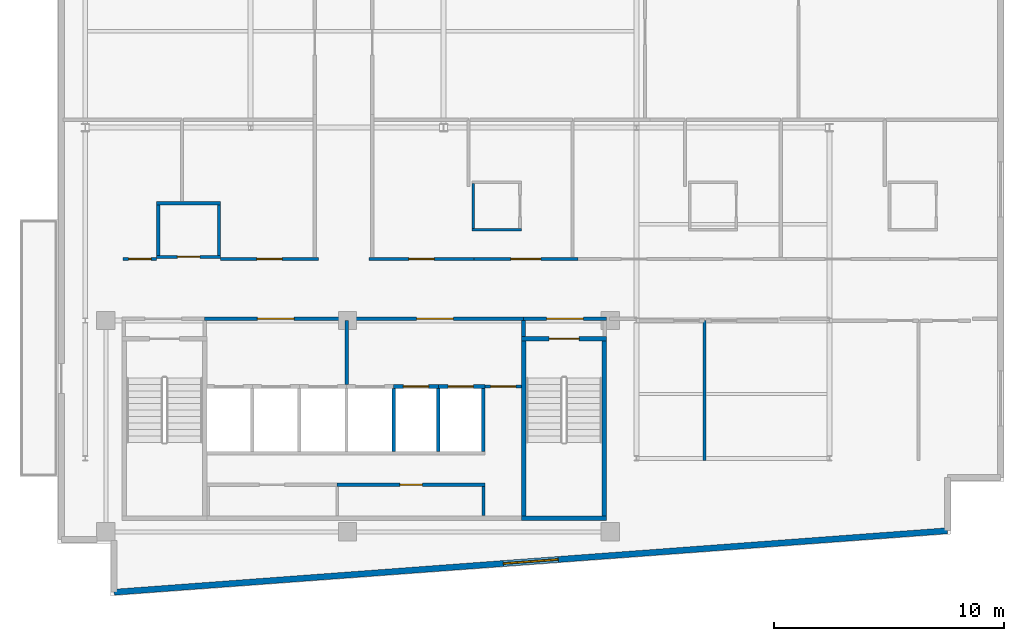
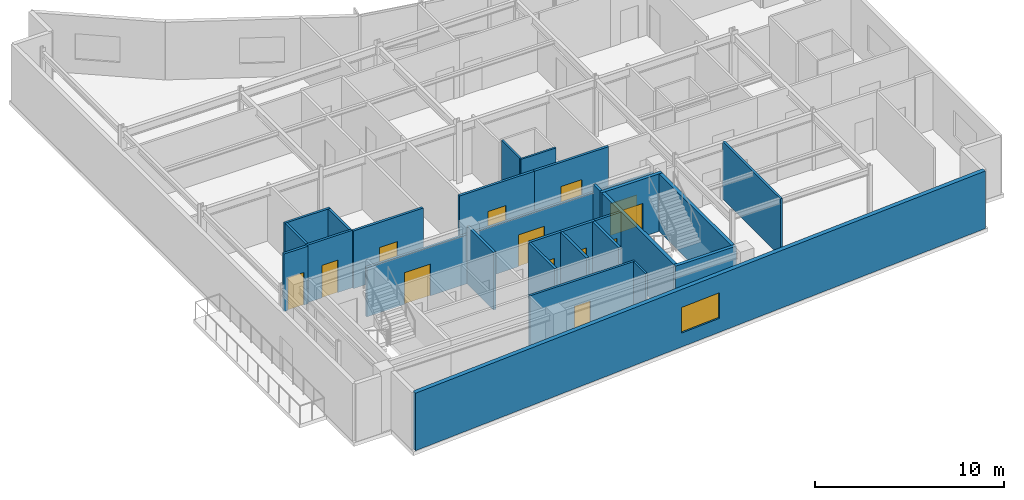
# One storey, part 10 of 16: 29 walls, 13 doors, 1 window, 14 openings.
"""IFC4 building model written with IfcOpenShell, lengths in metres."""

from ifc_helpers import new_model, si_unit, direction, frame, frame_2d, origin, place, context, subcontext, project, spatial, rectangle, extrude, material, layer, layer_set, type_object, element, fill, save


model = new_model("IFC4")

# Units and contexts
model_context = context("Model", 3, precision=1e-05, world=origin(), true_north=direction((0.0, 1.0)))
body_context = subcontext(model_context, "Body", "Model", "MODEL_VIEW")
ifc_project = project(units=[si_unit("LENGTHUNIT", "METRE"), si_unit("AREAUNIT", "SQUARE_METRE"), si_unit("VOLUMEUNIT", "CUBIC_METRE"), si_unit("PLANEANGLEUNIT", "RADIAN"), si_unit("MASSUNIT", "GRAM", prefix="KILO")], contexts=[model_context])

# Site, building, storey
site_placement = place(None, origin())
site = spatial("IfcSite", under=ifc_project, at=site_placement, CompositionType="ELEMENT")
building_placement = place(site_placement, origin())
building = spatial("IfcBuilding", under=site, at=building_placement, Name="Varnakote Quay Hospital", CompositionType="ELEMENT")
storey_placement = place(building_placement, frame((0.0, 0.0, 280.25)))
storey = spatial("IfcBuildingStorey", under=building, at=storey_placement, Name="L69", CompositionType="ELEMENT", Elevation=280.25)

# Wall, opening, door
ifc_material_1 = material(Name="Fire-rated acoustic gypsum stud wall", Category="gypsum")
ifc_layer_1 = layer(ifc_material_1, 0.159912109375)
ifc_layer_set_1 = layer_set([ifc_layer_1], Name="Fire-rated acoustic gypsum stud wall")
wall_type_1 = type_object("IfcWallType", Name="WL-COMP-160", PredefinedType="PARTITIONING", material=ifc_layer_set_1)
wall_1_placement = place(storey_placement, frame((6.39990234375, 12.080078125, 0.0), z_axis=(0.0, 0.0, 1.0), x_axis=(1.0, 0.0, 0.0)))
wall_1 = element("IfcWall", 1, at=wall_1_placement, inside=storey, type_object=wall_type_1, Name="L69 Firefighting Lift Lobby Compartment Wall", PredefinedType="PARTITIONING", context=body_context, shape_type="SweptSolid", body=[
    extrude(rectangle(XDim=6.18017578125, YDim=0.159912109375, at=frame_2d((3.090087890625, 0.0))), origin(), (0.0, 0.0, 1.0), 3.156982421875),
])
opening_1_placement = place(wall_1_placement, frame((2.2900390625, 0.0, 0.0)))
opening_1 = element("IfcOpeningElement", 2, at=opening_1_placement, cuts=wall_1, Name="Opening D-FFL-L69", PredefinedType="OPENING", context=body_context, shape_type="SweptSolid", body=[
    extrude(rectangle(XDim=1.60009765625, YDim=2.050048828125, at=frame_2d((0.800048828125, 1.02490234375))), frame((0.0, 0.08984375, 0.0), z_axis=(0.0, -1.0, 0.0), x_axis=(1.0, 0.0, 0.0)), (0.0, 0.0, 1.0), 0.179931640625),
])
ifc_material_2 = material(Name="Fire-rated double smoke lobby door")
door_type_1 = type_object("IfcDoorType", Name="DR-LOBBY-FD60S-1600x2150", OperationType="NOTDEFINED", PredefinedType="DOOR", material=ifc_material_2)
door_1_placement = place(opening_1_placement, origin())
door_1 = element("IfcDoor", 3, at=door_1_placement, inside=storey, type_object=door_type_1, Name="L69 Firefighting Smoke Vestibule Door", OperationType="DOUBLE_DOOR_SINGLE_SWING", OverallHeight=2.050048828125, OverallWidth=1.60009765625, PredefinedType="DOOR", context=body_context, shape_type="SweptSolid", body=[
    extrude(rectangle(XDim=1.60009765625, YDim=2.050048828125, at=frame_2d((0.800048828125, 1.02490234375))), frame((0.0, 0.02490234375, 0.0), z_axis=(0.0, -1.0, 0.0), x_axis=(1.0, 0.0, 0.0)), (0.0, 0.0, 1.0), 0.050048828125),
])
fill(opening_1, door_1)

# Wall
wall_2_placement = place(storey_placement, frame((12.580078125, 9.2099609375, 0.0), z_axis=(0.0, 0.0, 1.0), x_axis=(0.0, 1.0, 0.0)))
element("IfcWall", 4, at=wall_2_placement, inside=storey, type_object=wall_type_1, Name="L69 Firefighting to Service Lobby Wall", PredefinedType="PARTITIONING", context=body_context, shape_type="SweptSolid", body=[
    extrude(rectangle(XDim=2.7900390625, YDim=0.159912109375, at=frame_2d((1.39501953125, 0.0))), origin(), (0.0, 0.0, 1.0), 3.7099609375),
])

# Wall, opening, door
wall_3_placement = place(storey_placement, frame((12.580078125, 12.080078125, 0.0), z_axis=(0.0, 0.0, 1.0), x_axis=(1.0, 0.0, 0.0)))
wall_3 = element("IfcWall", 5, at=wall_3_placement, inside=storey, type_object=wall_type_1, Name="L69 Clinical Bed Lift Lobby Wall", PredefinedType="PARTITIONING", context=body_context, shape_type="SweptSolid", body=[
    extrude(rectangle(XDim=7.699951171875, YDim=0.159912109375, at=frame_2d((3.85009765625, 0.0))), origin(), (0.0, 0.0, 1.0), 3.156982421875),
])
opening_2_placement = place(wall_3_placement, frame((3.050048828125, 0.0, 0.0)))
opening_2 = element("IfcOpeningElement", 6, at=opening_2_placement, cuts=wall_3, Name="Opening D-SVL-L69", PredefinedType="OPENING", context=body_context, shape_type="SweptSolid", body=[
    extrude(rectangle(XDim=1.60009765625, YDim=2.050048828125, at=frame_2d((0.800048828125, 1.02490234375))), frame((0.0, 0.08984375, 0.0), z_axis=(0.0, -1.0, 0.0), x_axis=(1.0, 0.0, 0.0)), (0.0, 0.0, 1.0), 0.179931640625),
])
door_2_placement = place(opening_2_placement, origin())
door_2 = element("IfcDoor", 7, at=door_2_placement, inside=storey, type_object=door_type_1, Name="L69 Clinical Core Smoke Vestibule Door", OperationType="DOUBLE_DOOR_SINGLE_SWING", OverallHeight=2.050048828125, OverallWidth=1.60009765625, PredefinedType="DOOR", context=body_context, shape_type="SweptSolid", body=[
    extrude(rectangle(XDim=1.60009765625, YDim=2.050048828125, at=frame_2d((0.800048828125, 1.02490234375))), frame((0.0, 0.02490234375, 0.0), z_axis=(0.0, -1.0, 0.0), x_axis=(1.0, 0.0, 0.0)), (0.0, 0.0, 1.0), 0.050048828125),
])
fill(opening_2, door_2)

# Wall
wall_4_placement = place(storey_placement, frame((20.280029296875, 11.300048828125, 0.0), z_axis=(0.0, 0.0, 1.0), x_axis=(0.0, 1.0, 0.0)))
element("IfcWall", 8, at=wall_4_placement, inside=storey, type_object=wall_type_1, Name="L69 East Stair Vestibule Divider Wall", PredefinedType="PARTITIONING", context=body_context, shape_type="SweptSolid", body=[
    extrude(rectangle(XDim=0.699951171875, YDim=0.159912109375, at=frame_2d((0.35009765625, 0.0))), origin(), (0.0, 0.0, 1.0), 3.7099609375),
])

# Wall, opening, door
wall_5_placement = place(storey_placement, frame((20.280029296875, 12.080078125, 0.0), z_axis=(0.0, 0.0, 1.0), x_axis=(1.0, 0.0, 0.0)))
wall_5 = element("IfcWall", 9, at=wall_5_placement, inside=storey, type_object=wall_type_1, Name="L69 East Stair Vestibule Smoke Wall", PredefinedType="PARTITIONING", context=body_context, shape_type="SweptSolid", body=[
    extrude(rectangle(XDim=3.619873046875, YDim=0.159912109375, at=frame_2d((1.81005859375, 0.0))), origin(), (0.0, 0.0, 1.0), 3.156982421875),
])
opening_3_placement = place(wall_5_placement, frame((1.010009765625, 0.0, 0.0)))
opening_3 = element("IfcOpeningElement", 10, at=opening_3_placement, cuts=wall_5, Name="Opening D-ST2L-L69", PredefinedType="OPENING", context=body_context, shape_type="SweptSolid", body=[
    extrude(rectangle(XDim=1.60009765625, YDim=2.050048828125, at=frame_2d((0.800048828125, 1.02490234375))), frame((0.0, 0.08984375, 0.0), z_axis=(0.0, -1.0, 0.0), x_axis=(1.0, 0.0, 0.0)), (0.0, 0.0, 1.0), 0.179931640625),
])
door_3_placement = place(opening_3_placement, origin())
door_3 = element("IfcDoor", 11, at=door_3_placement, inside=storey, type_object=door_type_1, Name="L69 East Stair Vestibule Smoke Door", OperationType="DOUBLE_DOOR_SINGLE_SWING", OverallHeight=2.050048828125, OverallWidth=1.60009765625, PredefinedType="DOOR", context=body_context, shape_type="SweptSolid", body=[
    extrude(rectangle(XDim=1.60009765625, YDim=2.050048828125, at=frame_2d((0.800048828125, 1.02490234375))), frame((0.0, 0.02490234375, 0.0), z_axis=(0.0, -1.0, 0.0), x_axis=(1.0, 0.0, 0.0)), (0.0, 0.0, 1.0), 0.050048828125),
])
fill(opening_3, door_3)

# Walls
ifc_material_3 = material(Name="Moisture-resistant bathroom partition", Category="gypsum")
ifc_layer_2 = layer(ifc_material_3, 0.114990234375)
ifc_layer_set_2 = layer_set([ifc_layer_2], Name="Moisture-resistant bathroom partition")
wall_type_2 = type_object("IfcWallType", Name="WL-ENS-115", PredefinedType="PARTITIONING", material=ifc_layer_set_2)
wall_6_placement = place(storey_placement, frame((18.034912109375, 15.952392578125, 0.0), z_axis=(0.0, 0.0, 1.0), x_axis=(1.0, 0.0, 0.0)))
element("IfcWall", 12, at=wall_6_placement, inside=storey, type_object=wall_type_2, Name="L69 Inpatient En-Suite Bathroom 01 S Wall", PredefinedType="PARTITIONING", context=body_context, shape_type="SweptSolid", body=[
    extrude(rectangle(XDim=2.150146484375, YDim=0.114990234375, at=frame_2d((1.0751953125, 0.0))), origin(), (0.0, 0.0, 1.0), 3.7099609375),
])
wall_7_placement = place(storey_placement, frame((18.092529296875, 16.010009765625, 0.0), z_axis=(0.0, 0.0, 1.0), x_axis=(0.0, 1.0, 0.0)))
element("IfcWall", 13, at=wall_7_placement, inside=storey, type_object=wall_type_2, Name="L69 Inpatient En-Suite Bathroom 01 W Wall", PredefinedType="PARTITIONING", context=body_context, shape_type="SweptSolid", body=[
    extrude(rectangle(XDim=1.949951171875, YDim=0.114990234375, at=frame_2d((0.97509765625, 0.0))), origin(), (0.0, 0.0, 1.0), 3.7099609375),
])

# Wall, opening, window
ifc_material_4 = material(Name="Precast concrete N50 (f'c 50 MPa)", Category="concrete")
ifc_layer_3 = layer(ifc_material_4, 0.260009765625)
ifc_layer_set_3 = layer_set([ifc_layer_3], Name="Precast concrete N50 (f'c 50 MPa)")
wall_type_3 = type_object("IfcWallType", Name="WL-EXT-BRICK-260", PredefinedType="STANDARD", material=ifc_layer_set_3)
wall_8_placement = place(storey_placement, frame((2.4599609375, 0.172119140625, 0.0), z_axis=(0.0, 0.0, 1.0), x_axis=(0.997289775118, 0.073573802713, 0.0)))
wall_8 = element("IfcWall", 14, at=wall_8_placement, inside=storey, type_object=wall_type_3, Name="L69 Brick-Faced Precast Exterior Wall", PredefinedType="STANDARD", context=body_context, shape_type="SweptSolid", body=[
    extrude(rectangle(XDim=36.378662109375, YDim=0.260009765625, at=frame_2d((18.189453125, 0.0))), origin(), (0.0, 0.0, 1.0), 3.7099609375),
])
opening_4_placement = place(wall_8_placement, frame((16.9892578125, 0.0, 0.89990234375)))
opening_4 = element("IfcOpeningElement", 15, at=opening_4_placement, cuts=wall_8, Name="Opening WN-0278", PredefinedType="OPENING", context=body_context, shape_type="SweptSolid", body=[
    extrude(rectangle(XDim=2.39990234375, YDim=1.64990234375, at=frame_2d((1.199951171875, 0.824951171875))), frame((0.0, 0.139892578125, 0.0), z_axis=(0.0, -1.0, 0.0), x_axis=(1.0, 0.0, 0.0)), (0.0, 0.0, 1.0), 0.280029296875),
])
ifc_material_5 = material(Name="Double-glazed low-E solar glass", Category="glass")
window_type = type_object("IfcWindowType", Name="WIN-CLIN-2400x1650", PartitioningType="SINGLE_PANEL", PredefinedType="WINDOW", material=ifc_material_5)
window_placement = place(opening_4_placement, origin())
window = element("IfcWindow", 16, at=window_placement, inside=storey, type_object=window_type, Name="L69 Solar-Control Clinical Window", OverallHeight=1.64990234375, OverallWidth=2.39990234375, PartitioningType="SINGLE_PANEL", PredefinedType="WINDOW", context=body_context, shape_type="SweptSolid", body=[
    extrude(rectangle(XDim=2.39990234375, YDim=1.64990234375, at=frame_2d((1.199951171875, 0.824951171875))), frame((0.0, 0.030029296875, 0.0), z_axis=(0.0, -1.0, 0.0), x_axis=(1.0, 0.0, 0.0)), (0.0, 0.0, 1.0), 0.06005859375),
])
fill(opening_4, window)

# Walls
ifc_material_6 = material(Name="Concrete N50 (f'c 50 MPa)", Category="concrete")
ifc_layer_4 = layer(ifc_material_6, 0.14990234375)
ifc_layer_set_4 = layer_set([ifc_layer_4], Name="Concrete N50 (f'c 50 MPa)")
wall_type_4 = type_object("IfcWallType", Name="WL-SHAFT-N50-150", PredefinedType="SHEAR", material=ifc_layer_set_4)
for number, where, z_axis, x_axis, name in (
    (17, (14.625, 6.300048828125, 0.0), (0.0, 0.0, 1.0), (0.0, 1.0, 0.0), "L69 LF-SV2 Hoistway Divider Wall"),
    (18, (16.574951171875, 6.300048828125, 0.0), (0.0, 0.0, 1.0), (0.0, 1.0, 0.0), "L69 LF-PH1 Hoistway Divider Wall"),
):
    element("IfcWall", number, at=place(storey_placement, frame(where, z_axis=z_axis, x_axis=x_axis)), inside=storey, type_object=wall_type_4, Name=name, PredefinedType="SHEAR", context=body_context, shape_type="SweptSolid", body=[
        extrude(rectangle(XDim=2.75, YDim=0.14990234375, at=frame_2d((1.375, 0.0))), origin(), (0.0, 0.0, 1.0), 3.7099609375),
    ])
ifc_material_7 = material(Name="Concrete N50 (f'c 50 MPa)", Category="concrete")
ifc_layer_5 = layer(ifc_material_7, 0.159912109375)
ifc_layer_set_5 = layer_set([ifc_layer_5], Name="Concrete N50 (f'c 50 MPa)")
wall_type_5 = type_object("IfcWallType", Name="WL-SHAFT-N50-160", PredefinedType="SHEAR", material=ifc_layer_set_5)
wall_9_placement = place(storey_placement, frame((18.530029296875, 6.300048828125, 0.0), z_axis=(0.0, 0.0, 1.0), x_axis=(0.0, 1.0, 0.0)))
element("IfcWall", 19, at=wall_9_placement, inside=storey, type_object=wall_type_5, Name="L69 REAR Lift Bank East Shear Wall", PredefinedType="SHEAR", context=body_context, shape_type="SweptSolid", body=[
    extrude(rectangle(XDim=2.75, YDim=0.159912109375, at=frame_2d((1.375, 0.0))), origin(), (0.0, 0.0, 1.0), 3.7099609375),
])

# Wall, opening, door
wall_10_placement = place(storey_placement, frame((14.625, 9.1298828125, 0.0), z_axis=(0.0, 0.0, 1.0), x_axis=(1.0, 0.0, 0.0)))
wall_10 = element("IfcWall", 20, at=wall_10_placement, inside=storey, type_object=wall_type_5, Name="L69 LF-PH1 Hoistway Front Wall", PredefinedType="SHEAR", context=body_context, shape_type="SweptSolid", body=[
    extrude(rectangle(XDim=1.949951171875, YDim=0.159912109375, at=frame_2d((0.97509765625, 0.0))), origin(), (0.0, 0.0, 1.0), 3.7099609375),
])
opening_5_placement = place(wall_10_placement, frame((0.425048828125, 0.0, 0.0)))
opening_5 = element("IfcOpeningElement", 21, at=opening_5_placement, cuts=wall_10, Name="Opening LD-PH1-L69", PredefinedType="OPENING", context=body_context, shape_type="SweptSolid", body=[
    extrude(rectangle(XDim=1.10009765625, YDim=2.14990234375, at=frame_2d((0.550048828125, 1.074951171875))), frame((0.0, 0.08984375, 0.0), z_axis=(0.0, -1.0, 0.0), x_axis=(1.0, 0.0, 0.0)), (0.0, 0.0, 1.0), 0.179931640625),
])
ifc_material_8 = material(Name="Brushed bronze lift landing sliding door")
door_type_2 = type_object("IfcDoorType", Name="DR-LIFT-LD-1100x2150", OperationType="NOTDEFINED", PredefinedType="DOOR", material=ifc_material_8)
door_4_placement = place(opening_5_placement, origin())
door_4 = element("IfcDoor", 22, at=door_4_placement, inside=storey, type_object=door_type_2, Name="L69 LF-PH1 Lift Landing Sliding Door", OperationType="SLIDING_TO_LEFT", OverallHeight=2.14990234375, OverallWidth=1.10009765625, PredefinedType="DOOR", context=body_context, shape_type="SweptSolid", body=[
    extrude(rectangle(XDim=1.10009765625, YDim=2.14990234375, at=frame_2d((0.550048828125, 1.074951171875))), frame((0.0, 0.02490234375, 0.0), z_axis=(0.0, -1.0, 0.0), x_axis=(1.0, 0.0, 0.0)), (0.0, 0.0, 1.0), 0.050048828125),
])
fill(opening_5, door_4)

wall_11_placement = place(storey_placement, frame((16.574951171875, 9.1298828125, 0.0), z_axis=(0.0, 0.0, 1.0), x_axis=(1.0, 0.0, 0.0)))
wall_11 = element("IfcWall", 23, at=wall_11_placement, inside=storey, type_object=wall_type_5, Name="L69 LF-PH2 Hoistway Front Wall", PredefinedType="SHEAR", context=body_context, shape_type="SweptSolid", body=[
    extrude(rectangle(XDim=2.03515625, YDim=0.159912109375, at=frame_2d((1.017578125, 0.0))), origin(), (0.0, 0.0, 1.0), 3.7099609375),
])
opening_6_placement = place(wall_11_placement, frame((0.425048828125, 0.0, 0.0)))
opening_6 = element("IfcOpeningElement", 24, at=opening_6_placement, cuts=wall_11, Name="Opening LD-PH2-L69", PredefinedType="OPENING", context=body_context, shape_type="SweptSolid", body=[
    extrude(rectangle(XDim=1.10009765625, YDim=2.14990234375, at=frame_2d((0.550048828125, 1.074951171875))), frame((0.0, 0.08984375, 0.0), z_axis=(0.0, -1.0, 0.0), x_axis=(1.0, 0.0, 0.0)), (0.0, 0.0, 1.0), 0.179931640625),
])
door_5_placement = place(opening_6_placement, origin())
door_5 = element("IfcDoor", 25, at=door_5_placement, inside=storey, type_object=door_type_2, Name="L69 LF-PH2 Lift Landing Sliding Door", OperationType="SLIDING_TO_LEFT", OverallHeight=2.14990234375, OverallWidth=1.10009765625, PredefinedType="DOOR", context=body_context, shape_type="SweptSolid", body=[
    extrude(rectangle(XDim=1.10009765625, YDim=2.14990234375, at=frame_2d((0.550048828125, 1.074951171875))), frame((0.0, 0.02490234375, 0.0), z_axis=(0.0, -1.0, 0.0), x_axis=(1.0, 0.0, 0.0)), (0.0, 0.0, 1.0), 0.050048828125),
])
fill(opening_6, door_5)

# Walls
ifc_material_9 = material(Name="Concrete N50 (f'c 50 MPa)", Category="concrete")
ifc_layer_6 = layer(ifc_material_9, 0.199951171875)
ifc_layer_set_6 = layer_set([ifc_layer_6], Name="Concrete N50 (f'c 50 MPa)")
wall_type_6 = type_object("IfcWallType", Name="WL-SHAFT-N50-200", PredefinedType="SHEAR", material=ifc_layer_set_6)
wall_12_placement = place(storey_placement, frame((20.199951171875, 3.39990234375, 0.0), z_axis=(0.0, 0.0, 1.0), x_axis=(1.0, 0.0, 0.0)))
element("IfcWall", 26, at=wall_12_placement, inside=storey, type_object=wall_type_6, Name="L69 Stair ST2 South Shaft Wall", PredefinedType="SHEAR", context=body_context, shape_type="SweptSolid", body=[
    extrude(rectangle(XDim=3.699951171875, YDim=0.199951171875, at=frame_2d((1.85009765625, 0.0))), origin(), (0.0, 0.0, 1.0), 3.7099609375),
])
for number, where, z_axis, x_axis, name in (
    (27, (20.300048828125, 3.5, 0.0), (0.0, 0.0, 1.0), (0.0, 1.0, 0.0), "L69 Stair ST2 West Shaft Wall"),
    (28, (23.800048828125, 3.5, 0.0), (0.0, 0.0, 1.0), (0.0, 1.0, 0.0), "L69 Stair ST2 East Shaft Wall"),
):
    element("IfcWall", number, at=place(storey_placement, frame(where, z_axis=z_axis, x_axis=x_axis)), inside=storey, type_object=wall_type_6, Name=name, PredefinedType="SHEAR", context=body_context, shape_type="SweptSolid", body=[
        extrude(rectangle(XDim=7.60009765625, YDim=0.199951171875, at=frame_2d((3.800048828125, 0.0))), origin(), (0.0, 0.0, 1.0), 3.7099609375),
    ])

# Wall, opening, door
wall_13_placement = place(storey_placement, frame((20.199951171875, 11.199951171875, 0.0), z_axis=(0.0, 0.0, 1.0), x_axis=(1.0, 0.0, 0.0)))
wall_13 = element("IfcWall", 29, at=wall_13_placement, inside=storey, type_object=wall_type_6, Name="L69 Stair ST2 Exit Wall", PredefinedType="SHEAR", context=body_context, shape_type="SweptSolid", body=[
    extrude(rectangle(XDim=3.699951171875, YDim=0.199951171875, at=frame_2d((1.85009765625, 0.0))), origin(), (0.0, 0.0, 1.0), 3.7099609375),
])
opening_7_placement = place(wall_13_placement, frame((1.199951171875, 0.0, 0.0)))
opening_7 = element("IfcOpeningElement", 30, at=opening_7_placement, cuts=wall_13, Name="Opening D-ST2-L69", PredefinedType="OPENING", context=body_context, shape_type="SweptSolid", body=[
    extrude(rectangle(XDim=1.300048828125, YDim=2.14990234375, at=frame_2d((0.64990234375, 1.074951171875))), frame((0.0, 0.10986328125, 0.0), z_axis=(0.0, -1.0, 0.0), x_axis=(1.0, 0.0, 0.0)), (0.0, 0.0, 1.0), 0.219970703125),
])
ifc_material_10 = material(Name="Fire-rated ceramic-glazed timber exit door", Category="wood")
door_type_3 = type_object("IfcDoorType", Name="DR-STAIR-FD60S-1300x2150", OperationType="NOTDEFINED", PredefinedType="DOOR", material=ifc_material_10)
door_6_placement = place(opening_7_placement, origin())
door_6 = element("IfcDoor", 31, at=door_6_placement, inside=storey, type_object=door_type_3, Name="L69 Stair ST2 Fire Exit Door", OperationType="SINGLE_SWING_LEFT", OverallHeight=2.14990234375, OverallWidth=1.300048828125, PredefinedType="DOOR", context=body_context, shape_type="SweptSolid", body=[
    extrude(rectangle(XDim=1.300048828125, YDim=2.14990234375, at=frame_2d((0.64990234375, 1.074951171875))), frame((0.0, 0.02490234375, 0.0), z_axis=(0.0, -1.0, 0.0), x_axis=(1.0, 0.0, 0.0)), (0.0, 0.0, 1.0), 0.050048828125),
])
fill(opening_7, door_6)

# Walls
ifc_material_11 = material(Name="Smoke-proof clinical partition", Category="gypsum")
ifc_layer_7 = layer(ifc_material_11, 0.1201171875)
ifc_layer_set_7 = layer_set([ifc_layer_7], Name="Smoke-proof clinical partition")
wall_type_7 = type_object("IfcWallType", Name="WL-SMOKE-120", PredefinedType="PARTITIONING", material=ifc_layer_set_7)
wall_14_placement = place(storey_placement, frame((18.5400390625, 3.52001953125, 0.0), z_axis=(0.0, 0.0, 1.0), x_axis=(0.0, 1.0, 0.0)))
element("IfcWall", 32, at=wall_14_placement, inside=storey, type_object=wall_type_7, Name="L69 Core South Service East Wall", PredefinedType="PARTITIONING", context=body_context, shape_type="SweptSolid", body=[
    extrude(rectangle(XDim=1.260009765625, YDim=0.1201171875, at=frame_2d((0.6298828125, 0.0))), origin(), (0.0, 0.0, 1.0), 3.7099609375),
])
ifc_material_12 = material(Name="Smoke-proof clinical partition", Category="gypsum")
ifc_layer_8 = layer(ifc_material_12, 0.135009765625)
ifc_layer_set_8 = layer_set([ifc_layer_8], Name="Smoke-proof clinical partition")
wall_type_8 = type_object("IfcWallType", Name="WL-SMOKE-135", PredefinedType="PARTITIONING", material=ifc_layer_set_8)
wall_15_placement = place(storey_placement, frame((28.159912109375, 5.89990234375, 0.0), z_axis=(0.0, 0.0, 1.0), x_axis=(0.0, 1.0, 0.0)))
element("IfcWall", 33, at=wall_15_placement, inside=storey, type_object=wall_type_8, Name="L69 Clinical Interior Partition", PredefinedType="PARTITIONING", context=body_context, shape_type="SweptSolid", body=[
    extrude(rectangle(XDim=6.10009765625, YDim=0.135009765625, at=frame_2d((3.050048828125, 0.0))), origin(), (0.0, 0.0, 1.0), 3.7099609375),
])

# Wall, opening, door
ifc_material_13 = material(Name="Fire-rated clinical gypsum partition", Category="gypsum")
ifc_layer_9 = layer(ifc_material_13, 0.139892578125)
ifc_layer_set_9 = layer_set([ifc_layer_9], Name="Fire-rated clinical gypsum partition")
wall_type_9 = type_object("IfcWallType", Name="WL-WARD-140", PredefinedType="PARTITIONING", material=ifc_layer_set_9)
wall_16_placement = place(storey_placement, frame((12.169921875, 4.85009765625, 0.0), z_axis=(0.0, 0.0, 1.0), x_axis=(1.0, 0.0, 0.0)))
wall_16 = element("IfcWall", 34, at=wall_16_placement, inside=storey, type_object=wall_type_9, Name="L69 Core Staff Sanitary WC North Wall", PredefinedType="PARTITIONING", context=body_context, shape_type="SweptSolid", body=[
    extrude(rectangle(XDim=6.43017578125, YDim=0.139892578125, at=frame_2d((3.215087890625, 0.0))), origin(), (0.0, 0.0, 1.0), 3.7099609375),
])
opening_8_placement = place(wall_16_placement, frame((2.72509765625, 0.0, 0.0)))
opening_8 = element("IfcOpeningElement", 35, at=opening_8_placement, cuts=wall_16, Name="Opening D-L69-CR02", PredefinedType="OPENING", context=body_context, shape_type="SweptSolid", body=[
    extrude(rectangle(XDim=0.97998046875, YDim=2.10009765625, at=frame_2d((0.489990234375, 1.050048828125))), frame((0.0, 0.079833984375, 0.0), z_axis=(0.0, -1.0, 0.0), x_axis=(1.0, 0.0, 0.0)), (0.0, 0.0, 1.0), 0.159912109375),
])
ifc_material_14 = material(Name="Accessible sanitary compartment door")
door_type_4 = type_object("IfcDoorType", Name="DR-WC-980x2100", OperationType="NOTDEFINED", PredefinedType="DOOR", material=ifc_material_14)
door_7_placement = place(opening_8_placement, origin())
door_7 = element("IfcDoor", 36, at=door_7_placement, inside=storey, type_object=door_type_4, Name="L69 Core Staff Sanitary WC Door", OperationType="SINGLE_SWING_LEFT", OverallHeight=2.10009765625, OverallWidth=0.97998046875, PredefinedType="DOOR", context=body_context, shape_type="SweptSolid", body=[
    extrude(rectangle(XDim=0.97998046875, YDim=2.10009765625, at=frame_2d((0.489990234375, 1.050048828125))), frame((0.0, 0.02490234375, 0.0), z_axis=(0.0, -1.0, 0.0), x_axis=(1.0, 0.0, 0.0)), (0.0, 0.0, 1.0), 0.050048828125),
])
fill(opening_8, door_7)

wall_17_placement = place(storey_placement, frame((18.610107421875, 9.1298828125, 0.0), z_axis=(0.0, 0.0, 1.0), x_axis=(1.0, 0.0, 0.0)))
wall_17 = element("IfcWall", 37, at=wall_17_placement, inside=storey, type_object=wall_type_9, Name="L69 Core Service Corridor North Door Wall", PredefinedType="PARTITIONING", context=body_context, shape_type="SweptSolid", body=[
    extrude(rectangle(XDim=1.58984375, YDim=0.139892578125, at=frame_2d((0.794921875, 0.0))), origin(), (0.0, 0.0, 1.0), 3.7099609375),
])
opening_9_placement = place(wall_17_placement, frame((0.239990234375, 0.0, 0.0)))
opening_9 = element("IfcOpeningElement", 38, at=opening_9_placement, cuts=wall_17, Name="Opening D-CSRV-L69", PredefinedType="OPENING", context=body_context, shape_type="SweptSolid", body=[
    extrude(rectangle(XDim=1.10009765625, YDim=2.10009765625, at=frame_2d((0.550048828125, 1.050048828125))), frame((0.0, 0.079833984375, 0.0), z_axis=(0.0, -1.0, 0.0), x_axis=(1.0, 0.0, 0.0)), (0.0, 0.0, 1.0), 0.159912109375),
])
ifc_material_15 = material(Name="Acoustic timber clinical consult door", Category="wood")
door_type_5 = type_object("IfcDoorType", Name="DR-CLIN-FD30S-1100x2100", OperationType="NOTDEFINED", PredefinedType="DOOR", material=ifc_material_15)
door_8_placement = place(opening_9_placement, origin())
door_8 = element("IfcDoor", 39, at=door_8_placement, inside=storey, type_object=door_type_5, Name="L69 Core Service Corridor Door", OperationType="SINGLE_SWING_RIGHT", OverallHeight=2.10009765625, OverallWidth=1.10009765625, PredefinedType="DOOR", context=body_context, shape_type="SweptSolid", body=[
    extrude(rectangle(XDim=1.10009765625, YDim=2.10009765625, at=frame_2d((0.550048828125, 1.050048828125))), frame((0.0, 0.02490234375, 0.0), z_axis=(0.0, -1.0, 0.0), x_axis=(1.0, 0.0, 0.0)), (0.0, 0.0, 1.0), 0.050048828125),
])
fill(opening_9, door_8)

wall_18_placement = place(storey_placement, frame((4.31005859375, 14.77001953125, 0.0), z_axis=(0.0, 0.0, 1.0), x_axis=(1.0, 0.0, 0.0)))
wall_18 = element("IfcWall", 40, at=wall_18_placement, inside=storey, type_object=wall_type_9, Name="L69 Floor Unisex Accessible WC S Wall", PredefinedType="PARTITIONING", context=body_context, shape_type="SweptSolid", body=[
    extrude(rectangle(XDim=2.780029296875, YDim=0.139892578125, at=frame_2d((1.39013671875, 0.0))), origin(), (0.0, 0.0, 1.0), 3.7099609375),
])
opening_10_placement = place(wall_18_placement, frame((0.89990234375, 0.0, 0.0)))
opening_10 = element("IfcOpeningElement", 41, at=opening_10_placement, cuts=wall_18, Name="Opening D-L69-EW01", PredefinedType="OPENING", context=body_context, shape_type="SweptSolid", body=[
    extrude(rectangle(XDim=0.97998046875, YDim=2.10009765625, at=frame_2d((0.489990234375, 1.050048828125))), frame((0.0, 0.079833984375, 0.0), z_axis=(0.0, -1.0, 0.0), x_axis=(1.0, 0.0, 0.0)), (0.0, 0.0, 1.0), 0.159912109375),
])
door_9_placement = place(opening_10_placement, origin())
door_9 = element("IfcDoor", 42, at=door_9_placement, inside=storey, type_object=door_type_4, Name="L69 Floor Unisex Accessible WC Door", OperationType="SINGLE_SWING_LEFT", OverallHeight=2.10009765625, OverallWidth=0.97998046875, PredefinedType="DOOR", context=body_context, shape_type="SweptSolid", body=[
    extrude(rectangle(XDim=0.97998046875, YDim=2.10009765625, at=frame_2d((0.489990234375, 1.050048828125))), frame((0.0, 0.02490234375, 0.0), z_axis=(0.0, -1.0, 0.0), x_axis=(1.0, 0.0, 0.0)), (0.0, 0.0, 1.0), 0.050048828125),
])
fill(opening_10, door_9)

# Walls
wall_19_placement = place(storey_placement, frame((4.31005859375, 17.110107421875, 0.0), z_axis=(0.0, 0.0, 1.0), x_axis=(1.0, 0.0, 0.0)))
element("IfcWall", 43, at=wall_19_placement, inside=storey, type_object=wall_type_9, Name="L69 Floor Unisex Accessible WC N Wall", PredefinedType="PARTITIONING", context=body_context, shape_type="SweptSolid", body=[
    extrude(rectangle(XDim=2.780029296875, YDim=0.139892578125, at=frame_2d((1.39013671875, 0.0))), origin(), (0.0, 0.0, 1.0), 3.7099609375),
])
for number, where, z_axis, x_axis, name in (
    (44, (4.3798828125, 14.840087890625, 0.0), (0.0, 0.0, 1.0), (0.0, 1.0, 0.0), "L69 Floor Unisex Accessible WC W Wall"),
    (45, (7.02001953125, 14.840087890625, 0.0), (0.0, 0.0, 1.0), (0.0, 1.0, 0.0), "L69 Floor Unisex Accessible WC E Wall"),
):
    element("IfcWall", number, at=place(storey_placement, frame(where, z_axis=z_axis, x_axis=x_axis)), inside=storey, type_object=wall_type_9, Name=name, PredefinedType="PARTITIONING", context=body_context, shape_type="SweptSolid", body=[
        extrude(rectangle(XDim=2.199951171875, YDim=0.139892578125, at=frame_2d((1.10009765625, 0.0))), origin(), (0.0, 0.0, 1.0), 3.7099609375),
    ])

# Wall, opening, door
ifc_material_16 = material(Name="Fire-rated clinical gypsum partition", Category="gypsum")
ifc_layer_10 = layer(ifc_material_16, 0.14990234375)
ifc_layer_set_10 = layer_set([ifc_layer_10], Name="Fire-rated clinical gypsum partition")
wall_type_10 = type_object("IfcWallType", Name="WL-WARD-150", PredefinedType="PARTITIONING", material=ifc_layer_set_10)
wall_20_placement = place(storey_placement, frame((4.30810546875, 14.679931640625, 0.0), z_axis=(0.0, 0.0, 1.0), x_axis=(-1.0, 0.0, 0.0)))
wall_20 = element("IfcWall", 46, at=wall_20_placement, inside=storey, type_object=wall_type_10, Name="L69 Clinical Interior Partition", PredefinedType="PARTITIONING", context=body_context, shape_type="SweptSolid", body=[
    extrude(rectangle(XDim=1.4580078125, YDim=0.14990234375, at=frame_2d((0.72900390625, 0.0))), origin(), (0.0, 0.0, 1.0), 3.7099609375),
])
opening_11_placement = place(wall_20_placement, frame((0.239013671875, 0.0, 0.0)))
opening_11 = element("IfcOpeningElement", 47, at=opening_11_placement, cuts=wall_20, Name="Opening D-L69-MD01", PredefinedType="OPENING", context=body_context, shape_type="SweptSolid", body=[
    extrude(rectangle(XDim=0.97998046875, YDim=2.10009765625, at=frame_2d((0.489990234375, 1.050048828125))), frame((0.0, 0.0849609375, 0.0), z_axis=(0.0, -1.0, 0.0), x_axis=(1.0, 0.0, 0.0)), (0.0, 0.0, 1.0), 0.169921875),
])
door_10_placement = place(opening_11_placement, origin())
door_10 = element("IfcDoor", 48, at=door_10_placement, inside=storey, type_object=door_type_4, Name="L69 Restorative Hydro-Rehab Treatment Suite Door", OperationType="SINGLE_SWING_LEFT", OverallHeight=2.10009765625, OverallWidth=0.97998046875, PredefinedType="DOOR", context=body_context, shape_type="SweptSolid", body=[
    extrude(rectangle(XDim=0.97998046875, YDim=2.10009765625, at=frame_2d((0.489990234375, 1.050048828125))), frame((0.0, 0.02490234375, 0.0), z_axis=(0.0, -1.0, 0.0), x_axis=(1.0, 0.0, 0.0)), (0.0, 0.0, 1.0), 0.050048828125),
])
fill(opening_11, door_10)

wall_21_placement = place(storey_placement, frame((11.345947265625, 14.679931640625, 0.0), z_axis=(0.0, 0.0, 1.0), x_axis=(-1.0, 0.0, 0.0)))
wall_21 = element("IfcWall", 49, at=wall_21_placement, inside=storey, type_object=wall_type_10, Name="L69 Clinical Interior Partition", PredefinedType="PARTITIONING", context=body_context, shape_type="SweptSolid", body=[
    extrude(rectangle(XDim=4.25390625, YDim=0.14990234375, at=frame_2d((2.126953125, 0.0))), origin(), (0.0, 0.0, 1.0), 3.7099609375),
])
opening_12_placement = place(wall_21_placement, frame((1.576904296875, 0.0, 0.0)))
opening_12 = element("IfcOpeningElement", 50, at=opening_12_placement, cuts=wall_21, Name="Opening D-L69-MD02", PredefinedType="OPENING", context=body_context, shape_type="SweptSolid", body=[
    extrude(rectangle(XDim=1.10009765625, YDim=2.10009765625, at=frame_2d((0.550048828125, 1.050048828125))), frame((0.0, 0.0849609375, 0.0), z_axis=(0.0, -1.0, 0.0), x_axis=(1.0, 0.0, 0.0)), (0.0, 0.0, 1.0), 0.169921875),
])
door_11_placement = place(opening_12_placement, origin())
door_11 = element("IfcDoor", 51, at=door_11_placement, inside=storey, type_object=door_type_5, Name="L69 Multidisciplinary Clinical Consultation Suite Door", OperationType="SINGLE_SWING_RIGHT", OverallHeight=2.10009765625, OverallWidth=1.10009765625, PredefinedType="DOOR", context=body_context, shape_type="SweptSolid", body=[
    extrude(rectangle(XDim=1.10009765625, YDim=2.10009765625, at=frame_2d((0.550048828125, 1.050048828125))), frame((0.0, 0.02490234375, 0.0), z_axis=(0.0, -1.0, 0.0), x_axis=(1.0, 0.0, 0.0)), (0.0, 0.0, 1.0), 0.050048828125),
])
fill(opening_12, door_11)

wall_22_placement = place(storey_placement, frame((18.115966796875, 14.679931640625, 0.0), z_axis=(0.0, 0.0, 1.0), x_axis=(-1.0, 0.0, 0.0)))
wall_22 = element("IfcWall", 52, at=wall_22_placement, inside=storey, type_object=wall_type_10, Name="L69 Clinical Interior Partition", PredefinedType="PARTITIONING", context=body_context, shape_type="SweptSolid", body=[
    extrude(rectangle(XDim=4.56201171875, YDim=0.14990234375, at=frame_2d((2.281005859375, 0.0))), origin(), (0.0, 0.0, 1.0), 3.7099609375),
])
opening_13_placement = place(wall_22_placement, frame((1.73095703125, 0.0, 0.0)))
opening_13 = element("IfcOpeningElement", 53, at=opening_13_placement, cuts=wall_22, Name="Opening D-L69-MD03", PredefinedType="OPENING", context=body_context, shape_type="SweptSolid", body=[
    extrude(rectangle(XDim=1.10009765625, YDim=2.10009765625, at=frame_2d((0.550048828125, 1.050048828125))), frame((0.0, 0.0849609375, 0.0), z_axis=(0.0, -1.0, 0.0), x_axis=(1.0, 0.0, 0.0)), (0.0, 0.0, 1.0), 0.169921875),
])
door_12_placement = place(opening_13_placement, origin())
door_12 = element("IfcDoor", 54, at=door_12_placement, inside=storey, type_object=door_type_5, Name="L69 Ward Dietetics Pantry Door", OperationType="SINGLE_SWING_LEFT", OverallHeight=2.10009765625, OverallWidth=1.10009765625, PredefinedType="DOOR", context=body_context, shape_type="SweptSolid", body=[
    extrude(rectangle(XDim=1.10009765625, YDim=2.10009765625, at=frame_2d((0.550048828125, 1.050048828125))), frame((0.0, 0.02490234375, 0.0), z_axis=(0.0, -1.0, 0.0), x_axis=(1.0, 0.0, 0.0)), (0.0, 0.0, 1.0), 0.050048828125),
])
fill(opening_13, door_12)

wall_23_placement = place(storey_placement, frame((22.64599609375, 14.679931640625, 0.0), z_axis=(0.0, 0.0, 1.0), x_axis=(-1.0, 0.0, 0.0)))
wall_23 = element("IfcWall", 55, at=wall_23_placement, inside=storey, type_object=wall_type_10, Name="L69 Clinical Interior Partition", PredefinedType="PARTITIONING", context=body_context, shape_type="SweptSolid", body=[
    extrude(rectangle(XDim=4.528076171875, YDim=0.14990234375, at=frame_2d((2.26416015625, 0.0))), origin(), (0.0, 0.0, 1.0), 3.7099609375),
])
opening_14_placement = place(wall_23_placement, frame((1.614013671875, 0.0, 0.0)))
opening_14 = element("IfcOpeningElement", 56, at=opening_14_placement, cuts=wall_23, Name="Opening D-L69-BR01", PredefinedType="OPENING", context=body_context, shape_type="SweptSolid", body=[
    extrude(rectangle(XDim=1.300048828125, YDim=2.14990234375, at=frame_2d((0.64990234375, 1.074951171875))), frame((0.0, 0.0849609375, 0.0), z_axis=(0.0, -1.0, 0.0), x_axis=(1.0, 0.0, 0.0)), (0.0, 0.0, 1.0), 0.169921875),
])
ifc_material_17 = material(Name="Solid-core timber clinical bed door", Category="wood")
door_type_6 = type_object("IfcDoorType", Name="DR-WARD-FD30S-1300x2150", OperationType="NOTDEFINED", PredefinedType="DOOR", material=ifc_material_17)
door_13_placement = place(opening_14_placement, origin())
door_13 = element("IfcDoor", 57, at=door_13_placement, inside=storey, type_object=door_type_6, Name="L69 Resident Care Bedroom 01 Door", OperationType="SINGLE_SWING_RIGHT", OverallHeight=2.14990234375, OverallWidth=1.300048828125, PredefinedType="DOOR", context=body_context, shape_type="SweptSolid", body=[
    extrude(rectangle(XDim=1.300048828125, YDim=2.14990234375, at=frame_2d((0.64990234375, 1.074951171875))), frame((0.0, 0.02490234375, 0.0), z_axis=(0.0, -1.0, 0.0), x_axis=(1.0, 0.0, 0.0)), (0.0, 0.0, 1.0), 0.050048828125),
])
fill(opening_14, door_13)

save(model, "model.ifc")
